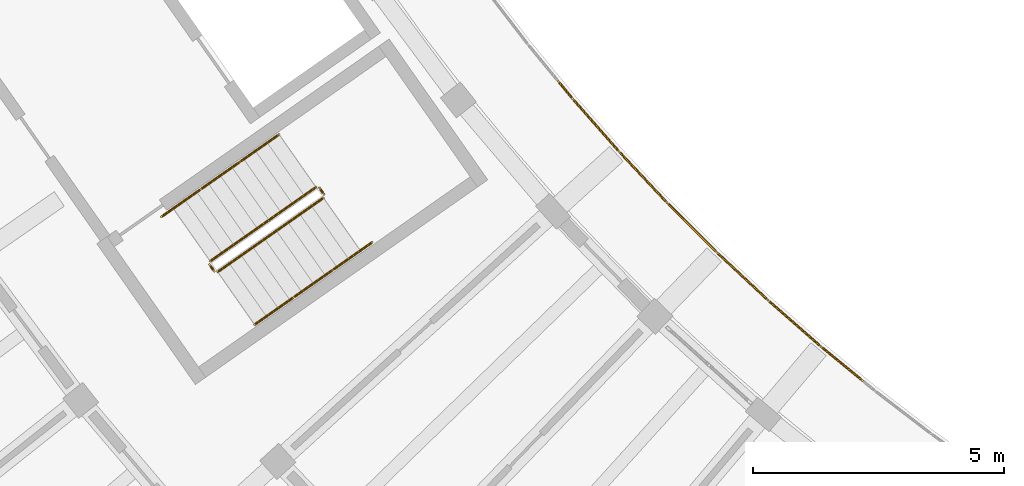
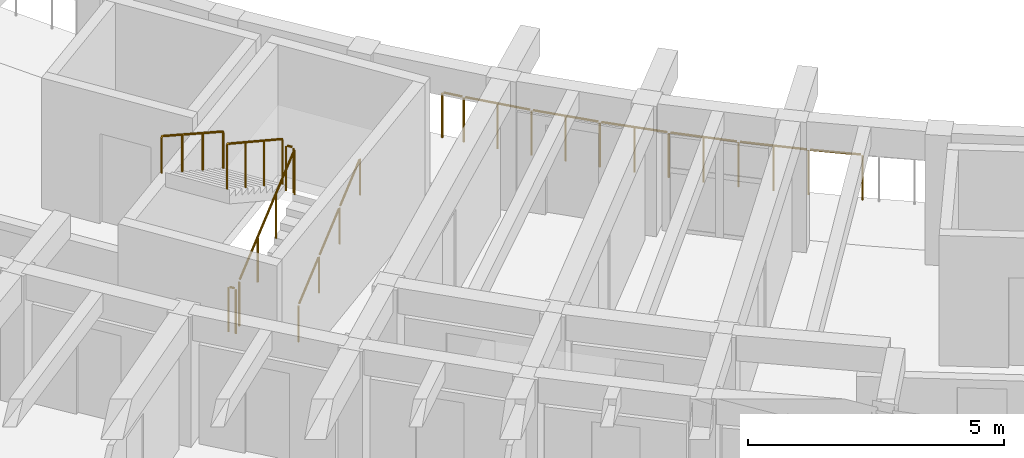
# One storey, part 65 of 83: 11 railings.
"""IFC4 building model written with IfcOpenShell, lengths in metres."""

from ifc_helpers import new_model, si_unit, direction, frame, origin, origin_2d, place, context, subcontext, project, spatial, circle, extrude, material, type_object, element, save


model = new_model("IFC4")

# Units and contexts
model_context = context("Model", 3, precision=1e-05, world=origin(), true_north=direction((0.0, 1.0)))
body_context = subcontext(model_context, "Body", "Model", "MODEL_VIEW")
ifc_project = project(units=[si_unit("LENGTHUNIT", "METRE"), si_unit("AREAUNIT", "SQUARE_METRE"), si_unit("VOLUMEUNIT", "CUBIC_METRE"), si_unit("PLANEANGLEUNIT", "RADIAN"), si_unit("MASSUNIT", "GRAM", prefix="KILO")], contexts=[model_context])

# Site, building, storey
site_placement = place(None, origin())
site = spatial("IfcSite", under=ifc_project, at=site_placement, CompositionType="ELEMENT")
building_placement = place(site_placement, origin())
building = spatial("IfcBuilding", under=site, at=building_placement, Name="Tanwirah Colonnade Gardens", CompositionType="ELEMENT")
storey_placement = place(building_placement, frame((0.0, 0.0, 25.639892578125)))
storey = spatial("IfcBuildingStorey", under=building, at=storey_placement, Name="L07", CompositionType="ELEMENT", Elevation=25.639892578125)

# Railings
ifc_material_1 = material(Name="Precast concrete C40/50", Category="concrete")
railing_type_1 = type_object("IfcRailingType", Name="BAL-EXT110", PredefinedType="BALUSTRADE", material=ifc_material_1)
railing_1_placement = place(storey_placement, frame((32.19970703125, 37.199951171875, 0.0)))
element("IfcRailing", 1, at=railing_1_placement, inside=storey, type_object=railing_type_1, Name="Block C L07 Balcony Ribbon Balustrade 3", PredefinedType="BALUSTRADE", context=body_context, shape_type="SweptSolid", body=[
    extrude(circle(Radius=0.02392578125, at=origin_2d()), frame((0.019775390625, -0.024169921875, 1.076171875), z_axis=(0.63519199524, -0.772354276989, 0.0), x_axis=(0.772354276989, 0.63519199524, 0.0)), (0.0, 0.0, 1.0), 0.385986328125),
    extrude(circle(Radius=0.02392578125, at=origin_2d()), frame((0.307373046875, -0.3720703125, 1.076171875), z_axis=(0.660288280901, -0.751012240982, 0.0), x_axis=(0.751012240982, 0.660288280901, 0.0)), (0.0, 0.0, 1.0), 1.33154296875),
    extrude(circle(Radius=0.02392578125, at=origin_2d()), frame((1.230224609375, -1.420166015625, 1.076171875), z_axis=(0.684424509294, -0.729083733928, 0.0), x_axis=(0.729083733928, 0.684424509294, 0.0)), (0.0, 0.0, 1.0), 1.33154296875),
    extrude(circle(Radius=0.02392578125, at=origin_2d()), frame((2.186767578125, -2.437744140625, 1.076171875), z_axis=(0.707894448134, -0.706318235855, 0.0), x_axis=(0.706318235855, 0.707894448134, 0.0)), (0.0, 0.0, 1.0), 1.33154296875),
    extrude(circle(Radius=0.02392578125, at=origin_2d()), frame((3.17626953125, -3.423583984375, 1.076171875), z_axis=(0.730612417562, -0.682792424756, 0.0), x_axis=(0.682792424756, 0.730612417562, 0.0)), (0.0, 0.0, 1.0), 1.331298828125),
    extrude(circle(Radius=0.02392578125, at=origin_2d()), frame((4.197021484375, -4.37646484375, 1.076171875), z_axis=(0.752565845379, -0.658517006894, 0.0), x_axis=(0.658517006894, 0.752565845379, 0.0)), (0.0, 0.0, 1.0), 1.33154296875),
    extrude(circle(Radius=0.02392578125, at=origin_2d()), frame((5.248779296875, -5.29541015625, 1.076171875), z_axis=(0.773732669176, -0.633512238753, 0.0), x_axis=(0.633512238753, 0.773732669176, 0.0)), (0.0, 0.0, 1.0), 1.0029296875),
    extrude(circle(Radius=0.02099609375, at=origin_2d()), origin(), (0.0, 0.0, 1.0), 1.049072265625),
    extrude(circle(Radius=0.02099609375, at=origin_2d()), frame((0.284912109375, -0.346435546875, 0.0)), (0.0, 0.0, 1.0), 1.049072265625),
    extrude(circle(Radius=0.02099609375, at=origin_2d()), frame((0.746826171875, -0.8720703125, 0.0)), (0.0, 0.0, 1.0), 1.049072265625),
    extrude(circle(Radius=0.02099609375, at=origin_2d()), frame((1.20703125, -1.3955078125, 0.0)), (0.0, 0.0, 1.0), 1.049072265625),
    extrude(circle(Radius=0.02099609375, at=origin_2d()), frame((1.685791015625, -1.90576171875, 0.0)), (0.0, 0.0, 1.0), 1.049072265625),
    extrude(circle(Radius=0.02099609375, at=origin_2d()), frame((2.162841796875, -2.413818359375, 0.0)), (0.0, 0.0, 1.0), 1.049072265625),
    extrude(circle(Radius=0.02099609375, at=origin_2d()), frame((2.657958984375, -2.908203125, 0.0)), (0.0, 0.0, 1.0), 1.049072265625),
    extrude(circle(Radius=0.02099609375, at=origin_2d()), frame((3.1513671875, -3.400390625, 0.0)), (0.0, 0.0, 1.0), 1.049072265625),
    extrude(circle(Radius=0.02099609375, at=origin_2d()), frame((3.66259765625, -3.878173828125, 0.0)), (0.0, 0.0, 1.0), 1.049072265625),
    extrude(circle(Radius=0.02099609375, at=origin_2d()), frame((4.171630859375, -4.35400390625, 0.0)), (0.0, 0.0, 1.0), 1.049072265625),
    extrude(circle(Radius=0.02099609375, at=origin_2d()), frame((4.6982421875, -4.81494140625, 0.0)), (0.0, 0.0, 1.0), 1.049072265625),
    extrude(circle(Radius=0.02099609375, at=origin_2d()), frame((5.22265625, -5.27392578125, 0.0)), (0.0, 0.0, 1.0), 1.049072265625),
    extrude(circle(Radius=0.02099609375, at=origin_2d()), frame((6.049072265625, -5.95068359375, 0.0)), (0.0, 0.0, 1.0), 1.049072265625),
])
ifc_material_2 = material(Name="Powder-coated galvanized steel", Category="steel")
railing_type_2 = type_object("IfcRailingType", Name="GRD-ST110", PredefinedType="GUARDRAIL", material=ifc_material_2)
railing_2_placement = place(storey_placement, frame((25.426513671875, 33.40869140625, 0.168212890625)))
element("IfcRailing", 2, at=railing_2_placement, inside=storey, type_object=railing_type_2, Name="L07 ST-C1 stair guard 1", PredefinedType="GUARDRAIL", context=body_context, shape_type="SweptSolid", body=[
    extrude(circle(Radius=0.02392578125, at=origin_2d()), frame((0.02197265625, 0.015380859375, 1.092041015625), z_axis=(0.705672637115, 0.494118441931, 0.507812066193), x_axis=(-0.573577325805, 0.819151421486, 0.0)), (0.0, 0.0, 1.0), 2.914794921875),
    extrude(circle(Radius=0.02099609375, at=origin_2d()), origin(), (0.0, 0.0, 1.0), 1.049072265625),
    extrude(circle(Radius=0.02099609375, at=origin_2d()), frame((0.700439453125, 0.490478515625, 0.50390625)), (0.0, 0.0, 1.0), 1.049072265625),
    extrude(circle(Radius=0.02099609375, at=origin_2d()), frame((1.400634765625, 0.980712890625, 1.008056640625)), (0.0, 0.0, 1.0), 1.049072265625),
    extrude(circle(Radius=0.02099609375, at=origin_2d()), frame((2.10107421875, 1.47119140625, 1.511962890625)), (0.0, 0.0, 1.0), 1.049072265625),
])
railing_3_placement = place(storey_placement, frame((27.539794921875, 34.94970703125, 1.68017578125)))
element("IfcRailing", 3, at=railing_3_placement, inside=storey, type_object=railing_type_2, Name="L07 ST-C1 stair guard 2", PredefinedType="GUARDRAIL", context=body_context, shape_type="SweptSolid", body=[
    extrude(circle(Radius=0.02392578125, at=origin_2d()), frame((-0.01806640625, 0.025634765625, 1.076171875), z_axis=(-0.57428210862, 0.81865747399, 0.0), x_axis=(-0.81865747399, -0.57428210862, 0.0)), (0.0, 0.0, 1.0), 0.097412109375),
    extrude(circle(Radius=0.02099609375, at=origin_2d()), origin(), (0.0, 0.0, 1.0), 1.049072265625),
    extrude(circle(Radius=0.02099609375, at=origin_2d()), frame((-0.091796875, 0.130859375, 0.0)), (0.0, 0.0, 1.0), 1.049072265625),
])
railing_4_placement = place(storey_placement, frame((27.37841796875, 35.093017578125, 1.84814453125)))
element("IfcRailing", 4, at=railing_4_placement, inside=storey, type_object=railing_type_2, Name="L07 ST-C1 stair guard 3", PredefinedType="GUARDRAIL", context=body_context, shape_type="SweptSolid", body=[
    extrude(circle(Radius=0.02392578125, at=origin_2d()), frame((-0.02197265625, -0.015380859375, 1.092041015625), z_axis=(-0.705672637115, -0.494118441931, 0.507812066193), x_axis=(0.573577325805, -0.819151421486, 0.0)), (0.0, 0.0, 1.0), 2.914794921875),
    extrude(circle(Radius=0.02099609375, at=origin_2d()), origin(), (0.0, 0.0, 1.0), 1.049072265625),
    extrude(circle(Radius=0.02099609375, at=origin_2d()), frame((-0.700439453125, -0.490478515625, 0.50390625)), (0.0, 0.0, 1.0), 1.049072265625),
    extrude(circle(Radius=0.02099609375, at=origin_2d()), frame((-1.400634765625, -0.980712890625, 1.008056640625)), (0.0, 0.0, 1.0), 1.049072265625),
    extrude(circle(Radius=0.02099609375, at=origin_2d()), frame((-2.10107421875, -1.47119140625, 1.511962890625)), (0.0, 0.0, 1.0), 1.049072265625),
])
railing_5_placement = place(storey_placement, frame((25.356689453125, 33.4208984375, 0.0)))
element("IfcRailing", 5, at=railing_5_placement, inside=storey, type_object=railing_type_2, Name="L07 ST-C1 stair guard 4", PredefinedType="GUARDRAIL", context=body_context, shape_type="SweptSolid", body=[
    extrude(circle(Radius=0.02392578125, at=origin_2d()), frame((-0.017822265625, 0.025634765625, 1.076171875), z_axis=(-0.57356471828, 0.819160249246, 0.0), x_axis=(-0.819160249246, -0.57356471828, 0.0)), (0.0, 0.0, 1.0), 0.097412109375),
    extrude(circle(Radius=0.02099609375, at=origin_2d()), origin(), (0.0, 0.0, 1.0), 1.049072265625),
    extrude(circle(Radius=0.02099609375, at=origin_2d()), frame((-0.091796875, 0.131103515625, 0.0)), (0.0, 0.0, 1.0), 1.049072265625),
])
ifc_material_3 = material(Name="Brushed bronze stainless steel", Category="steel")
railing_type_3 = type_object("IfcRailingType", Name="HR-ST090", PredefinedType="HANDRAIL", material=ifc_material_3)
railing_6_placement = place(storey_placement, frame((26.16064453125, 32.360107421875, 0.168212890625)))
element("IfcRailing", 6, at=railing_6_placement, inside=storey, type_object=railing_type_3, Name="L07 ST-C1 stair handrail 1", PredefinedType="HANDRAIL", context=body_context, shape_type="SweptSolid", body=[
    extrude(circle(Radius=0.02392578125, at=origin_2d()), frame((0.02197265625, 0.015380859375, 0.891845703125), z_axis=(0.703686044561, 0.492823109966, 0.511811814023), x_axis=(-0.57365206981, 0.819099079967, 0.0)), (0.0, 0.0, 1.0), 1.043212890625),
    extrude(circle(Radius=0.02099609375, at=origin_2d()), origin(), (0.0, 0.0, 1.0), 0.848876953125),
    extrude(circle(Radius=0.02099609375, at=origin_2d()), frame((0.778076171875, 0.544921875, 0.56591796875)), (0.0, 0.0, 1.0), 0.848876953125),
])
railing_7_placement = place(storey_placement, frame((26.938720703125, 32.905029296875, 0.734130859375)))
element("IfcRailing", 7, at=railing_7_placement, inside=storey, type_object=railing_type_3, Name="L07 ST-C1 stair handrail 2", PredefinedType="HANDRAIL", context=body_context, shape_type="SweptSolid", body=[
    extrude(circle(Radius=0.02392578125, at=origin_2d()), frame((0.02197265625, 0.015380859375, 0.891845703125), z_axis=(0.703797483594, 0.492746544348, 0.511732298297), x_axis=(-0.573531324472, 0.819183630115, 0.0)), (0.0, 0.0, 1.0), 1.04345703125),
    extrude(circle(Radius=0.02099609375, at=origin_2d()), origin(), (0.0, 0.0, 1.0), 0.848876953125),
    extrude(circle(Radius=0.02099609375, at=origin_2d()), frame((0.7783203125, 0.544921875, 0.56591796875)), (0.0, 0.0, 1.0), 0.848876953125),
])
railing_8_placement = place(storey_placement, frame((27.717041015625, 33.449951171875, 1.300048828125)))
element("IfcRailing", 8, at=railing_8_placement, inside=storey, type_object=railing_type_3, Name="L07 ST-C1 stair handrail 3", PredefinedType="HANDRAIL", context=body_context, shape_type="SweptSolid", body=[
    extrude(circle(Radius=0.02392578125, at=origin_2d()), frame((0.02197265625, 0.015380859375, 0.891845703125), z_axis=(0.703606519106, 0.492767414699, 0.511974746723), x_axis=(-0.57365206981, 0.819099079967, 0.0)), (0.0, 0.0, 1.0), 1.043212890625),
    extrude(circle(Radius=0.02099609375, at=origin_2d()), origin(), (0.0, 0.0, 1.0), 0.848876953125),
    extrude(circle(Radius=0.02099609375, at=origin_2d()), frame((0.778076171875, 0.544921875, 0.566162109375)), (0.0, 0.0, 1.0), 0.848876953125),
])
railing_9_placement = place(storey_placement, frame((26.644287109375, 36.141357421875, 1.84814453125)))
element("IfcRailing", 9, at=railing_9_placement, inside=storey, type_object=railing_type_3, Name="L07 ST-C1 stair handrail 4", PredefinedType="HANDRAIL", context=body_context, shape_type="SweptSolid", body=[
    extrude(circle(Radius=0.02392578125, at=origin_2d()), frame((-0.02197265625, -0.015380859375, 0.891845703125), z_axis=(-0.703797483594, -0.492746544348, 0.511732298297), x_axis=(0.573531324472, -0.819183630115, 0.0)), (0.0, 0.0, 1.0), 1.04345703125),
    extrude(circle(Radius=0.02099609375, at=origin_2d()), origin(), (0.0, 0.0, 1.0), 0.848876953125),
    extrude(circle(Radius=0.02099609375, at=origin_2d()), frame((-0.7783203125, -0.544921875, 0.56591796875)), (0.0, 0.0, 1.0), 0.848876953125),
])
railing_10_placement = place(storey_placement, frame((25.865966796875, 35.596435546875, 2.4140625)))
element("IfcRailing", 10, at=railing_10_placement, inside=storey, type_object=railing_type_3, Name="L07 ST-C1 stair handrail 5", PredefinedType="HANDRAIL", context=body_context, shape_type="SweptSolid", body=[
    extrude(circle(Radius=0.02392578125, at=origin_2d()), frame((-0.02197265625, -0.015380859375, 0.891845703125), z_axis=(-0.70368305994, -0.492600221753, 0.512030441168), x_axis=(0.573479595945, -0.819219844141, 0.0)), (0.0, 0.0, 1.0), 1.043212890625),
    extrude(circle(Radius=0.02099609375, at=origin_2d()), origin(), (0.0, 0.0, 1.0), 0.848876953125),
    extrude(circle(Radius=0.02099609375, at=origin_2d()), frame((-0.778076171875, -0.544677734375, 0.566162109375)), (0.0, 0.0, 1.0), 0.848876953125),
])
railing_11_placement = place(storey_placement, frame((25.087890625, 35.0517578125, 2.980224609375)))
element("IfcRailing", 11, at=railing_11_placement, inside=storey, type_object=railing_type_3, Name="L07 ST-C1 stair handrail 6", PredefinedType="HANDRAIL", context=body_context, shape_type="SweptSolid", body=[
    extrude(circle(Radius=0.02392578125, at=origin_2d()), frame((-0.02197265625, -0.015380859375, 0.891845703125), z_axis=(-0.703797483594, -0.492746544348, 0.511732298297), x_axis=(0.573531324472, -0.819183630115, 0.0)), (0.0, 0.0, 1.0), 1.04345703125),
    extrude(circle(Radius=0.02099609375, at=origin_2d()), origin(), (0.0, 0.0, 1.0), 0.848876953125),
    extrude(circle(Radius=0.02099609375, at=origin_2d()), frame((-0.7783203125, -0.544921875, 0.56591796875)), (0.0, 0.0, 1.0), 0.848876953125),
])

save(model, "model.ifc")
